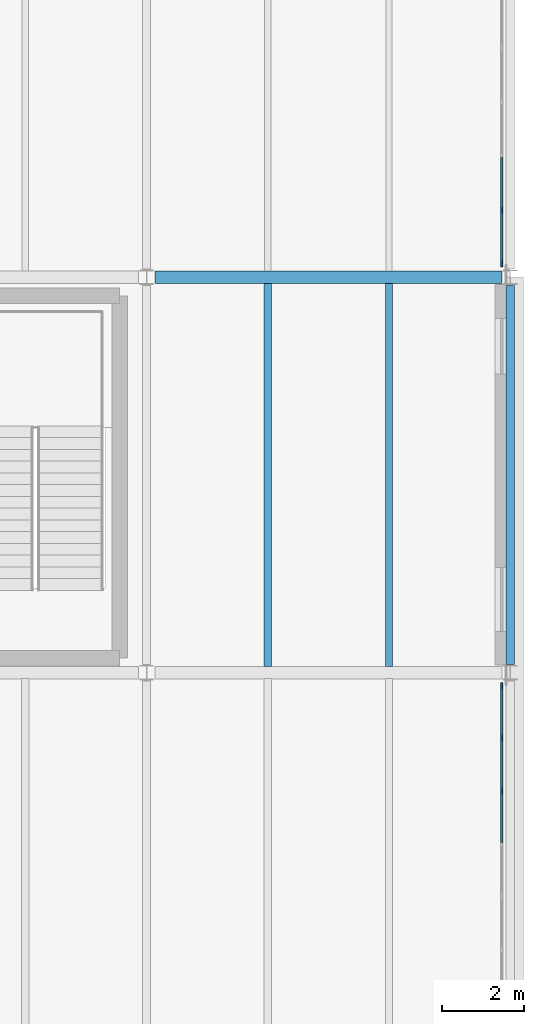
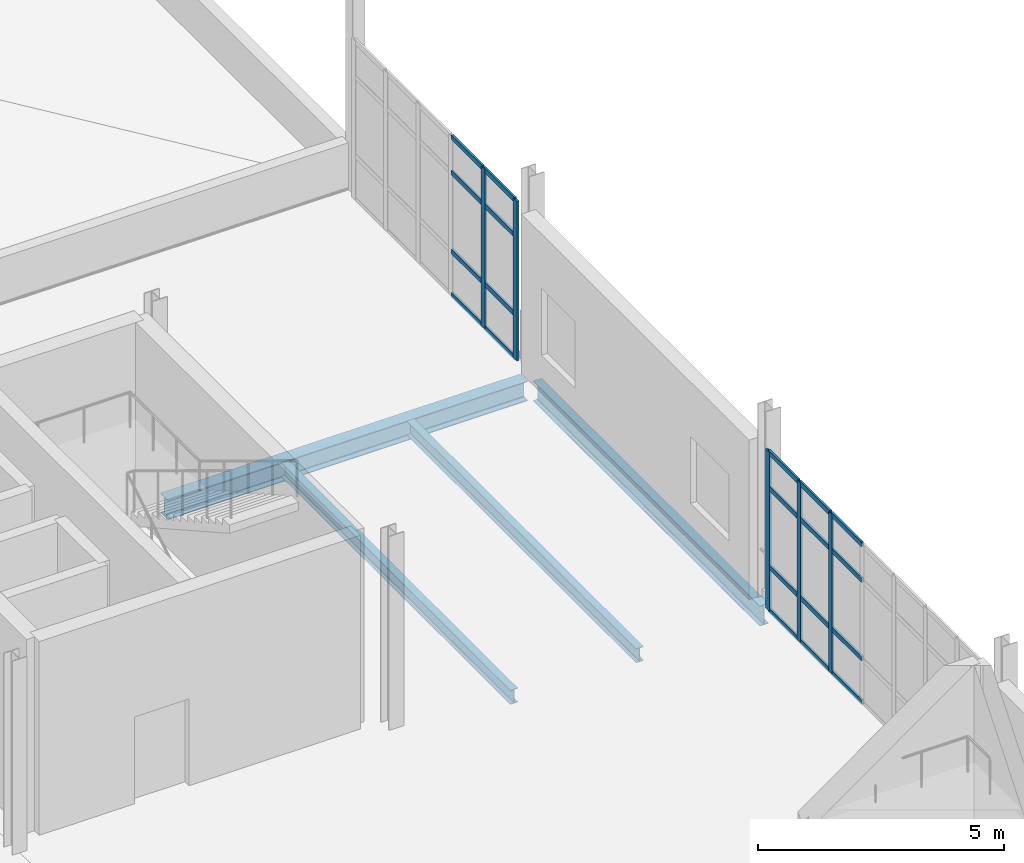
# One storey, part 59 of 112: 25 members, 4 beams, 2 elements without a shape of their own.
"""IFC4 building model written with IfcOpenShell, lengths in metres."""

import ifcopenshell
import ifcopenshell.guid

model = None  # the IFC model being written
_history = None  # IfcOwnerHistory: only IFC2X3 demands one
_inside = {}  # id of a spatial element -> (the spatial element, [elements in it])
_under = {}  # id of a project, library or spatial element -> (it, [spatial elements below it])
_declared = {}  # id of a project -> (the project, [libraries it declares])
_typed = {}  # id of a type object -> (the type object, [elements of that type])
_made_of = {}  # id of a material, layer set ... -> (it, [elements and type objects made of it])


def new_model(schema):
    """Start an empty IFC model of exactly this schema.

    Asked for "IFC4X3", IfcOpenShell would pick the latest addendum, in which some entities
    have other attributes; the version numbers below select the first issue.
    IFC2X3 requires an IfcOwnerHistory on every rooted entity: one is made here for all.
    """
    global model, _history
    if schema == "IFC4X3":
        model = ifcopenshell.file(schema_version=(4, 3, 0, 0))
    else:
        model = ifcopenshell.file(schema=schema)
    _inside.clear()
    _under.clear()
    _declared.clear()
    _typed.clear()
    _made_of.clear()
    _history = None
    if model.schema == "IFC2X3":
        org = make("IfcOrganization", Name="unknown")
        user = make(
            "IfcPersonAndOrganization",
            ThePerson=make("IfcPerson", FamilyName="unknown"),
            TheOrganization=org,
        )
        app = make(
            "IfcApplication",
            ApplicationDeveloper=org,
            Version="unknown",
            ApplicationFullName="unknown",
            ApplicationIdentifier="unknown",
        )
        _history = make(
            "IfcOwnerHistory",
            OwningUser=user,
            OwningApplication=app,
            ChangeAction="ADDED",
            CreationDate=0,
        )
    return model


def make(cls, **values):
    """One entity of the class cls with the attributes given. An attribute that is None is left unset."""
    return model.create_entity(
        cls, **{name: value for name, value in values.items() if value is not None}
    )


def rooted(cls, **values):
    """An entity with a GlobalId (a new one), such as an element, a storey or a relation."""
    return make(cls, GlobalId=ifcopenshell.guid.new(), OwnerHistory=_history, **values)


def si_unit(unit_type, name, prefix=None):
    """IfcSIUnit, for example si_unit("LENGTHUNIT", "METRE", prefix="MILLI")."""
    return make("IfcSIUnit", UnitType=unit_type, Prefix=prefix, Name=name)


def assignment(units):
    """IfcUnitAssignment: the units of a project."""
    return None if units is None else make("IfcUnitAssignment", Units=units)


def point(xyz):
    """IfcCartesianPoint."""
    return None if xyz is None else make("IfcCartesianPoint", Coordinates=xyz)


def direction(xyz):
    """IfcDirection."""
    return None if xyz is None else make("IfcDirection", DirectionRatios=xyz)


def frame(location, z_axis=None, x_axis=None):
    """IfcAxis2Placement3D, a coordinate frame: its origin and axes. An axis left out is left unset."""
    return make(
        "IfcAxis2Placement3D",
        Location=point(location),
        Axis=direction(z_axis),
        RefDirection=direction(x_axis),
    )


def frame_2d(location, x_axis=None):
    """IfcAxis2Placement2D, a coordinate frame in the plane: its origin and x axis."""
    return make(
        "IfcAxis2Placement2D", Location=point(location), RefDirection=direction(x_axis)
    )


def origin():
    """The frame at (0, 0, 0) with its axes left unset."""
    return frame((0.0, 0.0, 0.0))


def origin_2d():
    """The frame at (0, 0) in the plane with its x axis left unset."""
    return frame_2d((0.0, 0.0))


def place(relative_to, where):
    """IfcLocalPlacement: puts the frame where relative to a parent placement (None: the world)."""
    return make(
        "IfcLocalPlacement", PlacementRelTo=relative_to, RelativePlacement=where
    )


def context(
    kind, dimensions, precision=None, world=None, true_north=None, identifier=None
):
    """IfcGeometricRepresentationContext, for example the 3D "Model" context."""
    return make(
        "IfcGeometricRepresentationContext",
        ContextIdentifier=identifier,
        ContextType=kind,
        CoordinateSpaceDimension=dimensions,
        Precision=precision,
        WorldCoordinateSystem=world,
        TrueNorth=true_north,
    )


def subcontext(parent, identifier, kind, view, scale=None):
    """IfcGeometricRepresentationSubContext, for example "Body" below "Model"."""
    return make(
        "IfcGeometricRepresentationSubContext",
        ContextIdentifier=identifier,
        ContextType=kind,
        ParentContext=parent,
        TargetScale=scale,
        TargetView=view,
    )


def project(units=None, contexts=None):
    """IfcProject with its units and contexts."""
    return rooted(
        "IfcProject",
        Name="project",
        RepresentationContexts=contexts,
        UnitsInContext=assignment(units),
    )


def spatial(cls, under=None, at=None, **own):
    """A site, building, storey or space (cls), placed at a placement, below another one or the project."""
    s = rooted(cls, ObjectPlacement=at, **own)
    if under is not None:
        _under.setdefault(under.id(), (under, []))[1].append(s)
    return s


def profile(cls, at=None, kind="AREA", **sizes):
    """A parametric profile (cls). Its sizes go by their IFC names, for example OverallWidth=200.0."""
    return make(cls, ProfileType=kind, Position=at, **sizes)


def rectangle(**sizes):
    """IfcRectangleProfileDef."""
    return profile("IfcRectangleProfileDef", **sizes)


def i_section(**sizes):
    """IfcIShapeProfileDef."""
    return profile("IfcIShapeProfileDef", **sizes)


def extrude(swept, where, along, depth):
    """IfcExtrudedAreaSolid: the profile swept, set in the frame where, extruded along a direction by depth."""
    return make(
        "IfcExtrudedAreaSolid",
        SweptArea=swept,
        Position=where,
        ExtrudedDirection=direction(along),
        Depth=depth,
    )


def shape(context_of_items, identifier, shape_type, items):
    """IfcShapeRepresentation: the items that make up one representation, for example the "Body"."""
    return make(
        "IfcShapeRepresentation",
        ContextOfItems=context_of_items,
        RepresentationIdentifier=identifier,
        RepresentationType=shape_type,
        Items=items,
    )


def material(Name=None, Category=None):
    """IfcMaterial."""
    return make("IfcMaterial", Name=Name, Category=Category)


def layer(
    of_material, thickness, ventilated=None, Name=None, Category=None, Priority=None
):
    """IfcMaterialLayer: one layer of a wall or slab, of a material (None: an air gap)."""
    return make(
        "IfcMaterialLayer",
        Material=of_material,
        LayerThickness=thickness,
        IsVentilated=ventilated,
        Name=Name,
        Category=Category,
        Priority=Priority,
    )


def layer_set(layers, Name=None):
    """IfcMaterialLayerSet."""
    return make("IfcMaterialLayerSet", MaterialLayers=layers, LayerSetName=Name)


def material_profile(
    of_material, cross_section, Name=None, Category=None, Priority=None
):
    """IfcMaterialProfile: a cross section and its material."""
    return make(
        "IfcMaterialProfile",
        Name=Name,
        Material=of_material,
        Profile=cross_section,
        Priority=Priority,
        Category=Category,
    )


def profile_set(profiles, Name=None, composite=None):
    """IfcMaterialProfileSet."""
    return make(
        "IfcMaterialProfileSet",
        Name=Name,
        MaterialProfiles=profiles,
        CompositeProfile=composite,
    )


def made_of(thing, what):
    """Note that an element or type object is made of a material, layer set ...; save() writes the relation."""
    if what is not None:
        _made_of.setdefault(what.id(), (what, []))[1].append(thing)
    return thing


def type_object(cls, material=None, **own):
    """A type object (cls), such as IfcWallType, which elements share."""
    return made_of(rooted(cls, **own), material)


def element(
    cls,
    number,
    at=None,
    inside=None,
    cuts=None,
    type_object=None,
    material=None,
    context=None,
    identifier="Body",
    shape_type=None,
    held_by="IfcProductDefinitionShape",
    body=None,
    shapes=None,
    **own,
):
    """One element of the class cls, such as IfcWall. Its Tag is "e" and its number.

    at: its placement. inside: the storey or other place that contains it. cuts: it is an
    opening in that element (IfcRelVoidsElement). A single representation is given by context,
    identifier, shape_type and body (its items); several are given by shapes. held_by: the class
    of the entity that holds the representations. save() writes the other relations.
    """
    e = rooted(cls, Tag="e%d" % number, ObjectPlacement=at, **own)
    if body is not None:
        shapes = [shape(context, identifier, shape_type, body)]
    if shapes is not None:
        e.Representation = make(held_by, Representations=shapes)
    if inside is not None:
        _inside.setdefault(inside.id(), (inside, []))[1].append(e)
    if cuts is not None:
        rooted(
            "IfcRelVoidsElement", RelatingBuildingElement=cuts, RelatedOpeningElement=e
        )
    if type_object is not None:
        _typed.setdefault(type_object.id(), (type_object, []))[1].append(e)
    return made_of(e, material)


def aggregate(whole, parts):
    """IfcRelAggregates: a whole, such as a stair, and the parts it consists of."""
    return rooted("IfcRelAggregates", RelatingObject=whole, RelatedObjects=parts)


def save(model, path):
    """Write the relations noted so far, then the file.

    IfcRelAggregates (storeys below a building ...), IfcRelContainedInSpatialStructure (elements
    in a storey), IfcRelDefinesByType, IfcRelAssociatesMaterial and IfcRelDeclares: one each for
    every whole, place, type object, material and project.
    """
    for whole, parts in _under.values():
        aggregate(whole, parts)
    for where, things in _inside.values():
        rooted(
            "IfcRelContainedInSpatialStructure",
            RelatedElements=things,
            RelatingStructure=where,
        )
    for kind, things in _typed.values():
        rooted("IfcRelDefinesByType", RelatedObjects=things, RelatingType=kind)
    for what, things in _made_of.values():
        rooted("IfcRelAssociatesMaterial", RelatedObjects=things, RelatingMaterial=what)
    for by, libraries in _declared.values():
        rooted("IfcRelDeclares", RelatingContext=by, RelatedDefinitions=libraries)
    model.write(path)


model = new_model("IFC4")

# Units and contexts
model_context = context("Model", 3, precision=1e-05, world=origin(), true_north=direction((0.0, 1.0)))
body_context = subcontext(model_context, "Body", "Model", "MODEL_VIEW")
ifc_project = project(units=[si_unit("LENGTHUNIT", "METRE"), si_unit("AREAUNIT", "SQUARE_METRE"), si_unit("VOLUMEUNIT", "CUBIC_METRE"), si_unit("PLANEANGLEUNIT", "RADIAN"), si_unit("MASSUNIT", "GRAM", prefix="KILO")], contexts=[model_context])

# Site, building, storey
site_placement = place(None, origin())
site = spatial("IfcSite", under=ifc_project, at=site_placement, CompositionType="ELEMENT")
building_placement = place(site_placement, origin())
building = spatial("IfcBuilding", under=site, at=building_placement, Name="Yeouljin Market Hall", CompositionType="ELEMENT")
storey_placement = place(building_placement, frame((0.0, 0.0, 6.0)))
storey = spatial("IfcBuildingStorey", under=building, at=storey_placement, Name="L01", CompositionType="ELEMENT", Elevation=6.0)

# Beam
ifc_material_1 = material(Name="Steel SM355", Category="steel")
ifc_material_profile_1 = material_profile(ifc_material_1, i_section(OverallWidth=0.199951171875, OverallDepth=0.5, WebThickness=0.010009765625, FlangeThickness=0.01611328125, FilletRadius=0.02001953125, at=origin_2d()), Name="H-500x200x10x16")
ifc_profile_set_1 = profile_set([ifc_material_profile_1], Name="Steel SM355")
beam_type_1 = type_object("IfcBeamType", Name="Beam_H-500x200x10x16", PredefinedType="BEAM", material=ifc_profile_set_1)
beam_1_placement = place(storey_placement, frame((176.39990234375, 19.39990234375, -0.514892578125), z_axis=(0.0, 1.0, 0.0), x_axis=(-1.0, 0.0, 0.0)))
element("IfcBeam", 1, at=beam_1_placement, inside=storey, type_object=beam_type_1, Name="Primary beam BM-L01-Y236", PredefinedType="BEAM", context=body_context, shape_type="SweptSolid", body=[
    extrude(i_section(OverallWidth=0.199951171875, OverallDepth=0.5, WebThickness=0.010009765625, FlangeThickness=0.01611328125, FilletRadius=0.02001953125, at=origin_2d()), origin(), (0.0, 0.0, 1.0), 9.2001953125),
])

# Curtain wall, members
ifc_material_2 = material(Name="Thermally Broken Aluminium", Category="aluminium")
ifc_layer = layer(ifc_material_2, 0.14990234375)
ifc_layer_set = layer_set([ifc_layer], Name="Thermally Broken Aluminium")
curtain_wall_type = type_object("IfcCurtainWallType", Name="CW_AcademyRibbon_System", PredefinedType="USERDEFINED", material=ifc_layer_set)
curtain_wall_1_placement = place(storey_placement, origin())
curtain_wall_1 = element("IfcCurtainWall", 2, at=curtain_wall_1_placement, inside=storey, type_object=curtain_wall_type, Name="Curtain wall CW-L01-W13", ObjectType="CURTAIN WALL", PredefinedType="USERDEFINED")
ifc_material_3 = material(Name="Thermally Broken Aluminium", Category="aluminium")
ifc_material_profile_2 = material_profile(ifc_material_3, rectangle(XDim=0.048095703125, YDim=0.14990234375, at=origin_2d()), Name="CW-MULL-48x150")
ifc_profile_set_2 = profile_set([ifc_material_profile_2], Name="Thermally Broken Aluminium")
member_type_1 = type_object("IfcMemberType", Name="CWMullion_48x150", PredefinedType="MULLION", material=ifc_profile_set_2)
member_1_placement = place(storey_placement, frame((176.199951171875, 30.419921875, 0.0), z_axis=(0.0, 0.0, 1.0), x_axis=(1.0, 0.0, 0.0)))
member_1 = element("IfcMember", 3, at=member_1_placement, type_object=member_type_1, Name="CW-05 mullion 5", PredefinedType="MULLION", context=body_context, shape_type="SweptSolid", body=[
    extrude(rectangle(XDim=0.048095703125, YDim=0.14990234375, at=origin_2d()), origin(), (0.0, 0.0, 1.0), 3.949951171875),
])
member_2_placement = place(storey_placement, frame((176.199951171875, 29.1240234375, 0.0), z_axis=(0.0, 0.0, 1.0), x_axis=(1.0, 0.0, 0.0)))
member_2 = element("IfcMember", 4, at=member_2_placement, type_object=member_type_1, Name="CW-05 mullion 6", PredefinedType="MULLION", context=body_context, shape_type="SweptSolid", body=[
    extrude(rectangle(XDim=0.048095703125, YDim=0.14990234375, at=origin_2d()), origin(), (0.0, 0.0, 1.0), 3.949951171875),
])

curtain_wall_2_placement = place(storey_placement, origin())
curtain_wall_2 = element("IfcCurtainWall", 5, at=curtain_wall_2_placement, inside=storey, type_object=curtain_wall_type, Name="Curtain wall CW-L01-W15", ObjectType="CURTAIN WALL", PredefinedType="USERDEFINED")
member_3_placement = place(storey_placement, frame((176.199951171875, 18.8759765625, 0.0), z_axis=(0.0, 0.0, 1.0), x_axis=(1.0, 0.0, 0.0)))
member_3 = element("IfcMember", 6, at=member_3_placement, type_object=member_type_1, Name="CW-05 mullion 1", PredefinedType="MULLION", context=body_context, shape_type="SweptSolid", body=[
    extrude(rectangle(XDim=0.048095703125, YDim=0.14990234375, at=origin_2d()), origin(), (0.0, 0.0, 1.0), 3.949951171875),
])
member_4_placement = place(storey_placement, frame((176.199951171875, 17.6142578125, 0.0), z_axis=(0.0, 0.0, 1.0), x_axis=(1.0, 0.0, 0.0)))
member_4 = element("IfcMember", 7, at=member_4_placement, type_object=member_type_1, Name="CW-05 mullion 2", PredefinedType="MULLION", context=body_context, shape_type="SweptSolid", body=[
    extrude(rectangle(XDim=0.048095703125, YDim=0.14990234375, at=origin_2d()), origin(), (0.0, 0.0, 1.0), 3.949951171875),
])
member_5_placement = place(storey_placement, frame((176.199951171875, 16.32861328125, 0.0), z_axis=(0.0, 0.0, 1.0), x_axis=(1.0, 0.0, 0.0)))
member_5 = element("IfcMember", 8, at=member_5_placement, type_object=member_type_1, Name="CW-05 mullion 3", PredefinedType="MULLION", context=body_context, shape_type="SweptSolid", body=[
    extrude(rectangle(XDim=0.048095703125, YDim=0.14990234375, at=origin_2d()), origin(), (0.0, 0.0, 1.0), 3.949951171875),
])

# Member
ifc_material_4 = material(Name="Thermally Broken Aluminium", Category="aluminium")
ifc_material_profile_3 = material_profile(ifc_material_4, rectangle(XDim=0.048095703125, YDim=0.1201171875, at=origin_2d()), Name="CW-TRAN-48x120")
ifc_profile_set_3 = profile_set([ifc_material_profile_3], Name="Thermally Broken Aluminium")
member_type_2 = type_object("IfcMemberType", Name="CWTransom_48x120", PredefinedType="USERDEFINED", material=ifc_profile_set_3)
member_6_placement = place(storey_placement, frame((176.199951171875, 31.716064453125, 0.02392578125), z_axis=(0.0, -1.0, 0.0), x_axis=(1.0, 0.0, 0.0)))
member_6 = element("IfcMember", 9, at=member_6_placement, type_object=member_type_2, Name="CW-05 transom 4.1", ObjectType="TRANSOM", PredefinedType="USERDEFINED", context=body_context, shape_type="SweptSolid", body=[
    extrude(rectangle(XDim=0.048095703125, YDim=0.1201171875, at=origin_2d()), origin(), (0.0, 0.0, 1.0), 1.27197265625),
])

member_7_placement = place(storey_placement, frame((176.199951171875, 31.716064453125, 1.10009765625), z_axis=(0.0, -1.0, 0.0), x_axis=(1.0, 0.0, 0.0)))
member_7 = element("IfcMember", 10, at=member_7_placement, type_object=member_type_2, Name="CW-05 transom 4.2", ObjectType="TRANSOM", PredefinedType="USERDEFINED", context=body_context, shape_type="SweptSolid", body=[
    extrude(rectangle(XDim=0.048095703125, YDim=0.1201171875, at=origin_2d()), origin(), (0.0, 0.0, 1.0), 1.27197265625),
])

member_8_placement = place(storey_placement, frame((176.199951171875, 31.716064453125, 3.050048828125), z_axis=(0.0, -1.0, 0.0), x_axis=(1.0, 0.0, 0.0)))
member_8 = element("IfcMember", 11, at=member_8_placement, type_object=member_type_2, Name="CW-05 transom 4.3", ObjectType="TRANSOM", PredefinedType="USERDEFINED", context=body_context, shape_type="SweptSolid", body=[
    extrude(rectangle(XDim=0.048095703125, YDim=0.1201171875, at=origin_2d()), origin(), (0.0, 0.0, 1.0), 1.27197265625),
])

member_9_placement = place(storey_placement, frame((176.199951171875, 31.716064453125, 3.926025390625), z_axis=(0.0, -1.0, 0.0), x_axis=(1.0, 0.0, 0.0)))
member_9 = element("IfcMember", 12, at=member_9_placement, type_object=member_type_2, Name="CW-05 transom 4.4", ObjectType="TRANSOM", PredefinedType="USERDEFINED", context=body_context, shape_type="SweptSolid", body=[
    extrude(rectangle(XDim=0.048095703125, YDim=0.1201171875, at=origin_2d()), origin(), (0.0, 0.0, 1.0), 1.27197265625),
])

member_10_placement = place(storey_placement, frame((176.199951171875, 30.39599609375, 0.02392578125), z_axis=(0.0, -1.0, 0.0), x_axis=(1.0, 0.0, 0.0)))
member_10 = element("IfcMember", 13, at=member_10_placement, type_object=member_type_2, Name="CW-05 transom 5.1", ObjectType="TRANSOM", PredefinedType="USERDEFINED", context=body_context, shape_type="SweptSolid", body=[
    extrude(rectangle(XDim=0.048095703125, YDim=0.1201171875, at=origin_2d()), origin(), (0.0, 0.0, 1.0), 1.248046875),
])

member_11_placement = place(storey_placement, frame((176.199951171875, 30.39599609375, 1.10009765625), z_axis=(0.0, -1.0, 0.0), x_axis=(1.0, 0.0, 0.0)))
member_11 = element("IfcMember", 14, at=member_11_placement, type_object=member_type_2, Name="CW-05 transom 5.2", ObjectType="TRANSOM", PredefinedType="USERDEFINED", context=body_context, shape_type="SweptSolid", body=[
    extrude(rectangle(XDim=0.048095703125, YDim=0.1201171875, at=origin_2d()), origin(), (0.0, 0.0, 1.0), 1.248046875),
])

member_12_placement = place(storey_placement, frame((176.199951171875, 30.39599609375, 3.050048828125), z_axis=(0.0, -1.0, 0.0), x_axis=(1.0, 0.0, 0.0)))
member_12 = element("IfcMember", 15, at=member_12_placement, type_object=member_type_2, Name="CW-05 transom 5.3", ObjectType="TRANSOM", PredefinedType="USERDEFINED", context=body_context, shape_type="SweptSolid", body=[
    extrude(rectangle(XDim=0.048095703125, YDim=0.1201171875, at=origin_2d()), origin(), (0.0, 0.0, 1.0), 1.248046875),
])

member_13_placement = place(storey_placement, frame((176.199951171875, 30.39599609375, 3.926025390625), z_axis=(0.0, -1.0, 0.0), x_axis=(1.0, 0.0, 0.0)))
member_13 = element("IfcMember", 16, at=member_13_placement, type_object=member_type_2, Name="CW-05 transom 5.4", ObjectType="TRANSOM", PredefinedType="USERDEFINED", context=body_context, shape_type="SweptSolid", body=[
    extrude(rectangle(XDim=0.048095703125, YDim=0.1201171875, at=origin_2d()), origin(), (0.0, 0.0, 1.0), 1.248046875),
])

aggregate(curtain_wall_1, [member_1, member_2, member_6, member_7, member_8, member_9, member_10, member_11, member_12, member_13])

member_14_placement = place(storey_placement, frame((176.199951171875, 18.85205078125, 0.02392578125), z_axis=(0.0, -1.0, 0.0), x_axis=(1.0, 0.0, 0.0)))
member_14 = element("IfcMember", 17, at=member_14_placement, type_object=member_type_2, Name="CW-05 transom 1.1", ObjectType="TRANSOM", PredefinedType="USERDEFINED", context=body_context, shape_type="SweptSolid", body=[
    extrude(rectangle(XDim=0.048095703125, YDim=0.1201171875, at=origin_2d()), origin(), (0.0, 0.0, 1.0), 1.2138671875),
])

member_15_placement = place(storey_placement, frame((176.199951171875, 18.85205078125, 1.10009765625), z_axis=(0.0, -1.0, 0.0), x_axis=(1.0, 0.0, 0.0)))
member_15 = element("IfcMember", 18, at=member_15_placement, type_object=member_type_2, Name="CW-05 transom 1.2", ObjectType="TRANSOM", PredefinedType="USERDEFINED", context=body_context, shape_type="SweptSolid", body=[
    extrude(rectangle(XDim=0.048095703125, YDim=0.1201171875, at=origin_2d()), origin(), (0.0, 0.0, 1.0), 1.2138671875),
])

member_16_placement = place(storey_placement, frame((176.199951171875, 18.85205078125, 3.050048828125), z_axis=(0.0, -1.0, 0.0), x_axis=(1.0, 0.0, 0.0)))
member_16 = element("IfcMember", 19, at=member_16_placement, type_object=member_type_2, Name="CW-05 transom 1.3", ObjectType="TRANSOM", PredefinedType="USERDEFINED", context=body_context, shape_type="SweptSolid", body=[
    extrude(rectangle(XDim=0.048095703125, YDim=0.1201171875, at=origin_2d()), origin(), (0.0, 0.0, 1.0), 1.2138671875),
])

member_17_placement = place(storey_placement, frame((176.199951171875, 18.85205078125, 3.926025390625), z_axis=(0.0, -1.0, 0.0), x_axis=(1.0, 0.0, 0.0)))
member_17 = element("IfcMember", 20, at=member_17_placement, type_object=member_type_2, Name="CW-05 transom 1.4", ObjectType="TRANSOM", PredefinedType="USERDEFINED", context=body_context, shape_type="SweptSolid", body=[
    extrude(rectangle(XDim=0.048095703125, YDim=0.1201171875, at=origin_2d()), origin(), (0.0, 0.0, 1.0), 1.2138671875),
])

member_18_placement = place(storey_placement, frame((176.199951171875, 17.59033203125, 0.02392578125), z_axis=(0.0, -1.0, 0.0), x_axis=(1.0, 0.0, 0.0)))
member_18 = element("IfcMember", 21, at=member_18_placement, type_object=member_type_2, Name="CW-05 transom 2.1", ObjectType="TRANSOM", PredefinedType="USERDEFINED", context=body_context, shape_type="SweptSolid", body=[
    extrude(rectangle(XDim=0.048095703125, YDim=0.1201171875, at=origin_2d()), origin(), (0.0, 0.0, 1.0), 1.23779296875),
])

member_19_placement = place(storey_placement, frame((176.199951171875, 17.59033203125, 1.10009765625), z_axis=(0.0, -1.0, 0.0), x_axis=(1.0, 0.0, 0.0)))
member_19 = element("IfcMember", 22, at=member_19_placement, type_object=member_type_2, Name="CW-05 transom 2.2", ObjectType="TRANSOM", PredefinedType="USERDEFINED", context=body_context, shape_type="SweptSolid", body=[
    extrude(rectangle(XDim=0.048095703125, YDim=0.1201171875, at=origin_2d()), origin(), (0.0, 0.0, 1.0), 1.23779296875),
])

member_20_placement = place(storey_placement, frame((176.199951171875, 17.59033203125, 3.050048828125), z_axis=(0.0, -1.0, 0.0), x_axis=(1.0, 0.0, 0.0)))
member_20 = element("IfcMember", 23, at=member_20_placement, type_object=member_type_2, Name="CW-05 transom 2.3", ObjectType="TRANSOM", PredefinedType="USERDEFINED", context=body_context, shape_type="SweptSolid", body=[
    extrude(rectangle(XDim=0.048095703125, YDim=0.1201171875, at=origin_2d()), origin(), (0.0, 0.0, 1.0), 1.23779296875),
])

member_21_placement = place(storey_placement, frame((176.199951171875, 17.59033203125, 3.926025390625), z_axis=(0.0, -1.0, 0.0), x_axis=(1.0, 0.0, 0.0)))
member_21 = element("IfcMember", 24, at=member_21_placement, type_object=member_type_2, Name="CW-05 transom 2.4", ObjectType="TRANSOM", PredefinedType="USERDEFINED", context=body_context, shape_type="SweptSolid", body=[
    extrude(rectangle(XDim=0.048095703125, YDim=0.1201171875, at=origin_2d()), origin(), (0.0, 0.0, 1.0), 1.23779296875),
])

member_22_placement = place(storey_placement, frame((176.199951171875, 16.3046875, 0.02392578125), z_axis=(0.0, -1.0, 0.0), x_axis=(1.0, 0.0, 0.0)))
member_22 = element("IfcMember", 25, at=member_22_placement, type_object=member_type_2, Name="CW-05 transom 3.1", ObjectType="TRANSOM", PredefinedType="USERDEFINED", context=body_context, shape_type="SweptSolid", body=[
    extrude(rectangle(XDim=0.048095703125, YDim=0.1201171875, at=origin_2d()), origin(), (0.0, 0.0, 1.0), 1.23779296875),
])

member_23_placement = place(storey_placement, frame((176.199951171875, 16.3046875, 1.10009765625), z_axis=(0.0, -1.0, 0.0), x_axis=(1.0, 0.0, 0.0)))
member_23 = element("IfcMember", 26, at=member_23_placement, type_object=member_type_2, Name="CW-05 transom 3.2", ObjectType="TRANSOM", PredefinedType="USERDEFINED", context=body_context, shape_type="SweptSolid", body=[
    extrude(rectangle(XDim=0.048095703125, YDim=0.1201171875, at=origin_2d()), origin(), (0.0, 0.0, 1.0), 1.23779296875),
])

member_24_placement = place(storey_placement, frame((176.199951171875, 16.3046875, 3.050048828125), z_axis=(0.0, -1.0, 0.0), x_axis=(1.0, 0.0, 0.0)))
member_24 = element("IfcMember", 27, at=member_24_placement, type_object=member_type_2, Name="CW-05 transom 3.3", ObjectType="TRANSOM", PredefinedType="USERDEFINED", context=body_context, shape_type="SweptSolid", body=[
    extrude(rectangle(XDim=0.048095703125, YDim=0.1201171875, at=origin_2d()), origin(), (0.0, 0.0, 1.0), 1.23779296875),
])

member_25_placement = place(storey_placement, frame((176.199951171875, 16.3046875, 3.926025390625), z_axis=(0.0, -1.0, 0.0), x_axis=(1.0, 0.0, 0.0)))
member_25 = element("IfcMember", 28, at=member_25_placement, type_object=member_type_2, Name="CW-05 transom 3.4", ObjectType="TRANSOM", PredefinedType="USERDEFINED", context=body_context, shape_type="SweptSolid", body=[
    extrude(rectangle(XDim=0.048095703125, YDim=0.1201171875, at=origin_2d()), origin(), (0.0, 0.0, 1.0), 1.23779296875),
])

aggregate(curtain_wall_2, [member_3, member_4, member_5, member_14, member_15, member_16, member_17, member_18, member_19, member_20, member_21, member_22, member_23, member_24, member_25])

# Beams
ifc_material_5 = material(Name="Steel SM355", Category="steel")
ifc_material_profile_4 = material_profile(ifc_material_5, i_section(OverallWidth=0.300048828125, OverallDepth=0.488037109375, WebThickness=0.010986328125, FlangeThickness=0.01806640625, FilletRadius=0.02197265625, at=origin_2d()), Name="H-488x300x11x18")
ifc_profile_set_4 = profile_set([ifc_material_profile_4], Name="Steel SM355")
beam_type_2 = type_object("IfcBeamType", Name="Girder_H-488x300x11x18", PredefinedType="USERDEFINED", material=ifc_profile_set_4)
beam_2_placement = place(storey_placement, frame((167.77001953125, 28.800048828125, -0.509033203125), z_axis=(1.0, 0.0, 0.0), x_axis=(0.0, 1.0, 0.0)))
element("IfcBeam", 29, at=beam_2_placement, inside=storey, type_object=beam_type_2, Name="Primary girder GRD-L01-X044", ObjectType="GIRDER", PredefinedType="USERDEFINED", context=body_context, shape_type="SweptSolid", body=[
    extrude(i_section(OverallWidth=0.300048828125, OverallDepth=0.488037109375, WebThickness=0.010986328125, FlangeThickness=0.01806640625, FilletRadius=0.02197265625, at=origin_2d()), origin(), (0.0, 0.0, 1.0), 8.429931640625),
])
ifc_material_6 = material(Name="Steel SM355", Category="steel")
ifc_material_profile_5 = material_profile(ifc_material_6, i_section(OverallWidth=0.175048828125, OverallDepth=0.35009765625, WebThickness=0.007080078125, FlangeThickness=0.010986328125, FilletRadius=0.013916015625, at=origin_2d()), Name="H-350x175x7x11")
ifc_profile_set_5 = profile_set([ifc_material_profile_5], Name="Steel SM355")
beam_type_3 = type_object("IfcBeamType", Name="Joist_H-350x175x7x11", PredefinedType="JOIST", material=ifc_profile_set_5)
for number, where, z_axis, x_axis, name in (
    (30, (170.51318359375, 19.346923828125, -0.43994140625), (0.0, 1.0, 0.0), (-1.0, 0.0, 0.0), "Secondary floor joist L01-121"),
    (31, (173.456787109375, 19.346923828125, -0.43994140625), (0.0, 1.0, 0.0), (-1.0, 0.0, 0.0), "Secondary floor joist L01-122"),
):
    element("IfcBeam", number, at=place(storey_placement, frame(where, z_axis=z_axis, x_axis=x_axis)), inside=storey, type_object=beam_type_3, Name=name, PredefinedType="JOIST", context=body_context, shape_type="SweptSolid", body=[
        extrude(i_section(OverallWidth=0.175048828125, OverallDepth=0.35009765625, WebThickness=0.007080078125, FlangeThickness=0.010986328125, FilletRadius=0.013916015625, at=origin_2d()), origin(), (0.0, 0.0, 1.0), 9.30615234375),
    ])

save(model, "model.ifc")
